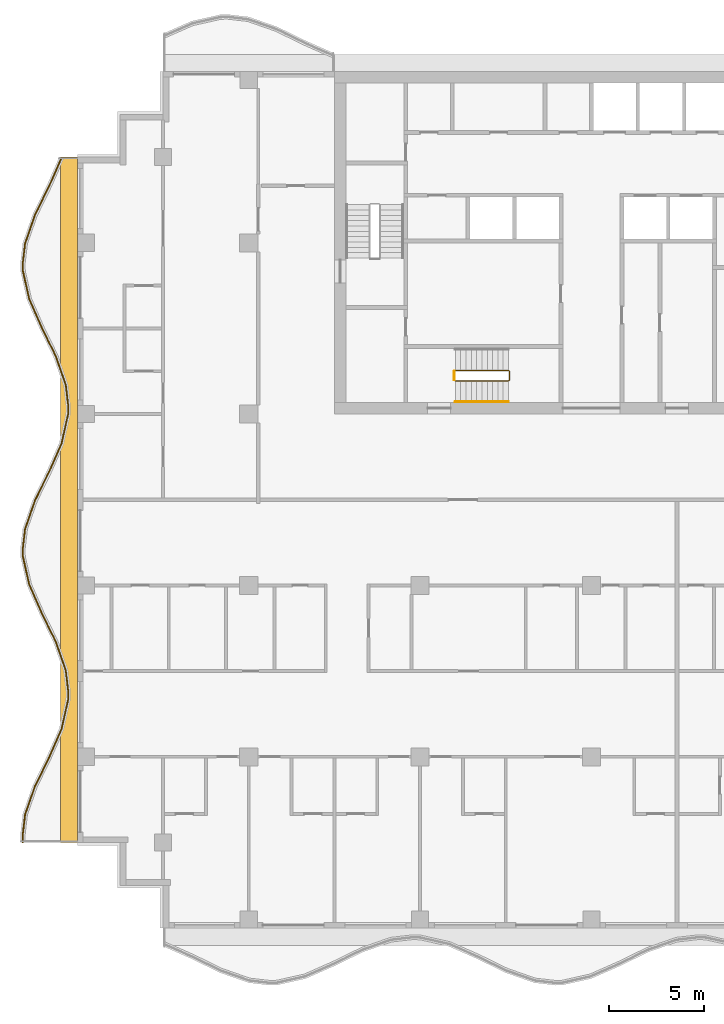
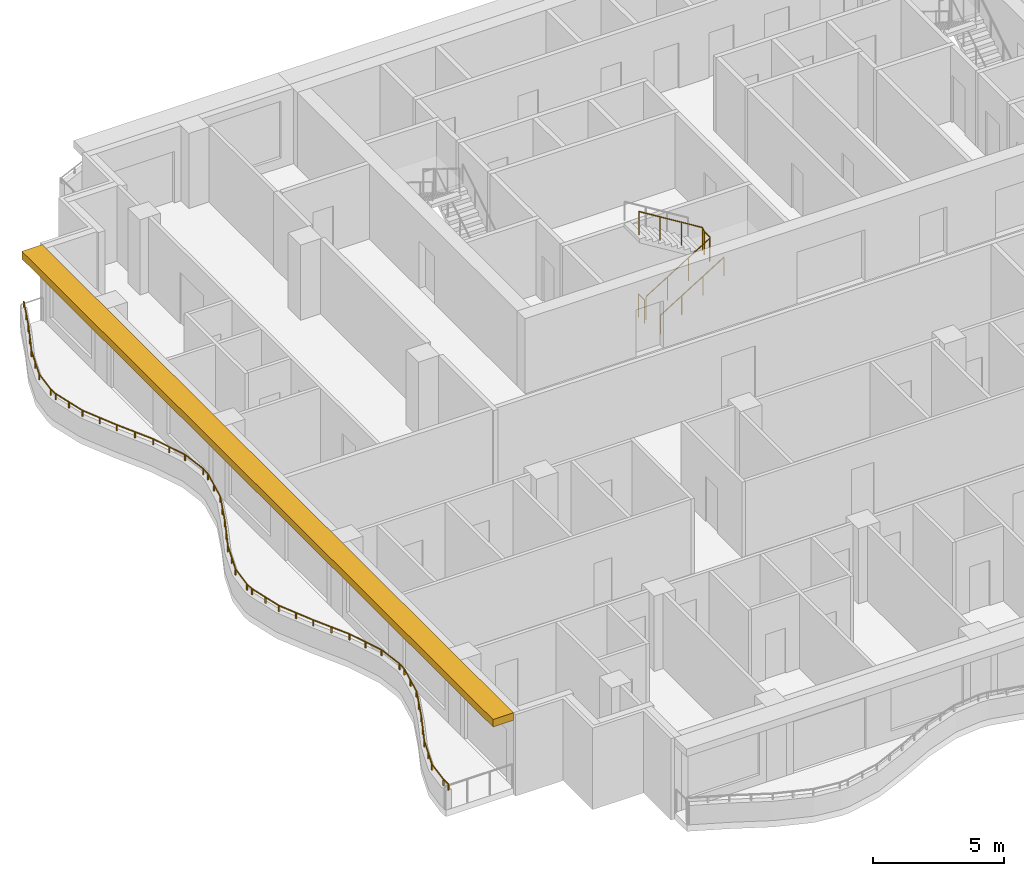
# One storey, part 9 of 11: 4 railings, 1 shading device.
"""IFC4 building model written with IfcOpenShell, lengths in metres."""

from ifc_helpers import new_model, si_unit, direction, frame, origin, origin_2d, place, context, subcontext, project, spatial, polyline, rectangle, circle, outline, extrude, material, layer, layer_set, type_object, element, save


model = new_model("IFC4")

# Units and contexts
model_context = context("Model", 3, precision=1e-05, world=origin(), true_north=direction((0.0, 1.0)))
body_context = subcontext(model_context, "Body", "Model", "MODEL_VIEW")
ifc_project = project(units=[si_unit("LENGTHUNIT", "METRE"), si_unit("AREAUNIT", "SQUARE_METRE"), si_unit("VOLUMEUNIT", "CUBIC_METRE"), si_unit("PLANEANGLEUNIT", "RADIAN"), si_unit("MASSUNIT", "GRAM", prefix="KILO")], contexts=[model_context])

# Site, building, storey
site_placement = place(None, origin())
site = spatial("IfcSite", under=ifc_project, at=site_placement, CompositionType="ELEMENT")
building_placement = place(site_placement, origin())
building = spatial("IfcBuilding", under=site, at=building_placement, Name="Orbiselva Terraces", CompositionType="ELEMENT")
storey_placement = place(building_placement, frame((0.0, 0.0, 269.2)))
storey = spatial("IfcBuildingStorey", under=building, at=storey_placement, Name="L68", CompositionType="ELEMENT", Elevation=269.2)

# Railings
ifc_material_1 = material(Name="Stainless steel", Category="steel")
railing_type_1 = type_object("IfcRailingType", Name="CORE-GUARD-1100", PredefinedType="GUARDRAIL", material=ifc_material_1)
railing_1_placement = place(storey_placement, frame((-7.15, 6.25, 0.172727)))
element("IfcRailing", 1, at=railing_1_placement, inside=storey, type_object=railing_type_1, Name="L68 S3 stair guard 1", PredefinedType="GUARDRAIL", context=body_context, shape_type="SweptSolid", body=[
    extrude(circle(Radius=0.024, at=origin_2d()), frame((0.0, 0.0, 1.081), z_axis=(0.851088519012, 0.0, 0.52502222125), x_axis=(0.0, 1.0, 0.0)), (0.0, 0.0, 1.0), 3.289905),
    extrude(circle(Radius=0.024, at=origin_2d()), frame((2.8, 0.0, 2.808273), z_axis=(0.707106781187, 0.707106781187, 0.0), x_axis=(-0.707106781187, 0.707106781187, 0.0)), (0.0, 0.0, 1.0), 0.070711),
    extrude(circle(Radius=0.024, at=origin_2d()), frame((2.85, 0.05, 2.808273), z_axis=(0.0, 1.0, 0.0), x_axis=(-1.0, 0.0, 0.0)), (0.0, 0.0, 1.0), 0.45),
    extrude(circle(Radius=0.024, at=origin_2d()), frame((2.85, 0.5, 2.808273), z_axis=(-0.267894925557, 0.267894925557, 0.925453736133), x_axis=(-0.707106781187, -0.707106781187, 0.0)), (0.0, 0.0, 1.0), 0.18664),
    extrude(circle(Radius=0.024, at=origin_2d()), frame((2.8, 0.55, 2.981), z_axis=(-0.851088519012, 0.0, 0.52502222125), x_axis=(0.0, -1.0, 0.0)), (0.0, 0.0, 1.0), 3.289905),
    extrude(circle(Radius=0.021, at=origin_2d()), origin(), (0.0, 0.0, 1.0), 1.057),
    extrude(circle(Radius=0.021, at=origin_2d()), frame((0.933333, 0.0, 0.575758)), (0.0, 0.0, 1.0), 1.057),
    extrude(circle(Radius=0.021, at=origin_2d()), frame((1.866667, 0.0, 1.151515)), (0.0, 0.0, 1.0), 1.057),
    extrude(circle(Radius=0.021, at=origin_2d()), frame((2.8, 0.0, 1.727273)), (0.0, 0.0, 1.0), 1.057),
    extrude(circle(Radius=0.021, at=origin_2d()), frame((2.85, 0.05, 1.727273)), (0.0, 0.0, 1.0), 1.057),
    extrude(circle(Radius=0.021, at=origin_2d()), frame((2.85, 0.5, 1.727273)), (0.0, 0.0, 1.0), 1.057),
    extrude(circle(Radius=0.021, at=origin_2d()), frame((2.8, 0.55, 1.9)), (0.0, 0.0, 1.0), 1.057),
    extrude(circle(Radius=0.021, at=origin_2d()), frame((1.866667, 0.55, 2.475758)), (0.0, 0.0, 1.0), 1.057),
    extrude(circle(Radius=0.021, at=origin_2d()), frame((0.933333, 0.55, 3.051515)), (0.0, 0.0, 1.0), 1.057),
    extrude(circle(Radius=0.021, at=origin_2d()), frame((0.0, 0.55, 3.627273)), (0.0, 0.0, 1.0), 1.057),
])
railing_2_placement = place(storey_placement, frame((-7.2, 6.3, 0.0)))
element("IfcRailing", 2, at=railing_2_placement, inside=storey, type_object=railing_type_1, Name="L68 S3 stair guard 2", PredefinedType="GUARDRAIL", context=body_context, shape_type="SweptSolid", body=[
    extrude(circle(Radius=0.024, at=origin_2d()), frame((0.0, 0.0, 1.081), z_axis=(0.0, 1.0, 0.0), x_axis=(-1.0, 0.0, 0.0)), (0.0, 0.0, 1.0), 0.45),
    extrude(circle(Radius=0.021, at=origin_2d()), origin(), (0.0, 0.0, 1.0), 1.057),
    extrude(circle(Radius=0.021, at=origin_2d()), frame((0.0, 0.45, 0.0)), (0.0, 0.0, 1.0), 1.057),
])
railing_type_2 = type_object("IfcRailingType", Name="CORE-HANDRAIL-900", PredefinedType="HANDRAIL", material=ifc_material_1)
railing_3_placement = place(storey_placement, frame((-7.15, 5.15, 0.172727)))
element("IfcRailing", 3, at=railing_3_placement, inside=storey, type_object=railing_type_2, Name="L68 S3 stair handrail 1", PredefinedType="HANDRAIL", context=body_context, shape_type="SweptSolid", body=[
    extrude(circle(Radius=0.024, at=origin_2d()), frame((0.0, 0.0, 0.876), z_axis=(0.851088519012, 0.0, 0.52502222125), x_axis=(0.0, 1.0, 0.0)), (0.0, 0.0, 1.0), 3.289905),
    extrude(circle(Radius=0.021, at=origin_2d()), origin(), (0.0, 0.0, 1.0), 0.852),
    extrude(circle(Radius=0.021, at=origin_2d()), frame((0.933333, 0.0, 0.575758)), (0.0, 0.0, 1.0), 0.852),
    extrude(circle(Radius=0.021, at=origin_2d()), frame((1.866667, 0.0, 1.151515)), (0.0, 0.0, 1.0), 0.852),
    extrude(circle(Radius=0.021, at=origin_2d()), frame((2.8, 0.0, 1.727273)), (0.0, 0.0, 1.0), 0.852),
])
ifc_material_2 = material(Name="Bonded two-ply safety glass balustrade, stainless steel posts", Category="steel")
railing_type_3 = type_object("IfcRailingType", Name="ENV-BALUSTRADE-1200", PredefinedType="BALUSTRADE", material=ifc_material_2)
railing_4_placement = place(storey_placement, frame((-27.83708, 17.949606, 0.9)))
element("IfcRailing", 4, at=railing_4_placement, inside=storey, type_object=railing_type_3, Name="Balcony balustrade L68 W", PredefinedType="BALUSTRADE", context=body_context, shape_type="SweptSolid", body=[
    extrude(outline(polyline([(0.028868, 0.0), (0.014434, 0.025), (-0.014434, 0.025), (-0.028868, 0.0), (-0.014434, -0.025), (0.014434, -0.025), (0.028868, 0.0)])), frame((0.0, 0.0, 0.275), z_axis=(-0.403151175476, -0.915133394491, 0.0), x_axis=(0.915133394491, -0.403151175476, 0.0)), (0.0, 0.0, 1.0), 1.641563),
    extrude(outline(polyline([(0.028868, 0.0), (0.014434, 0.025), (-0.014434, 0.025), (-0.028868, 0.0), (-0.014434, -0.025), (0.014434, -0.025), (0.028868, 0.0)])), frame((-0.661798, -1.502249, 0.275), z_axis=(-0.438811978768, -0.89857890432, 0.0), x_axis=(0.89857890432, -0.438811978768, 0.0)), (0.0, 0.0, 1.0), 1.66438),
    extrude(outline(polyline([(0.028868, 0.0), (0.014434, 0.025), (-0.014434, 0.025), (-0.028868, 0.0), (-0.014434, -0.025), (0.014434, -0.025), (0.028868, 0.0)])), frame((-1.392148, -2.997826, 0.275), z_axis=(-0.330024754707, -0.943972277814, 0.0), x_axis=(0.943972277814, -0.330024754707, 0.0)), (0.0, 0.0, 1.0), 1.567807),
    extrude(outline(polyline([(0.028868, 0.0), (0.014434, 0.025), (-0.014434, 0.025), (-0.028868, 0.0), (-0.014434, -0.025), (0.014434, -0.025), (0.028868, 0.0)])), frame((-1.909563, -4.477792, 0.275), z_axis=(-0.115481264762, -0.993309658409, 0.0), x_axis=(0.993309658409, -0.115481264762, 0.0)), (0.0, 0.0, 1.0), 1.10902),
    extrude(outline(polyline([(0.028868, 0.0), (0.014434, 0.025), (-0.014434, 0.025), (-0.028868, 0.0), (-0.014434, -0.025), (0.014434, -0.025), (0.028868, 0.0)])), frame((-2.037634, -5.579392, 0.275), z_axis=(0.039364150694, -0.999224931454, 0.0), x_axis=(0.999224931454, 0.039364150694, 0.0)), (0.0, 0.0, 1.0), 0.354206),
    extrude(outline(polyline([(0.028868, 0.0), (0.014434, 0.025), (-0.014434, 0.025), (-0.028868, 0.0), (-0.014434, -0.025), (0.014434, -0.025), (0.028868, 0.0)])), frame((-2.023691, -5.933323, 0.275), z_axis=(0.219015740235, -0.975721325753, 0.0), x_axis=(0.975721325753, 0.219015740235, 0.0)), (0.0, 0.0, 1.0), 1.513782),
    extrude(outline(polyline([(0.028868, 0.0), (0.014434, 0.025), (-0.014434, 0.025), (-0.028868, 0.0), (-0.014434, -0.025), (0.014434, -0.025), (0.028868, 0.0)])), frame((-1.692149, -7.410352, 0.275), z_axis=(0.403151245402, -0.915133363686, 0.0), x_axis=(0.915133363686, 0.403151245402, 0.0)), (0.0, 0.0, 1.0), 1.624475),
    extrude(outline(polyline([(0.028868, 0.0), (0.014434, 0.025), (-0.014434, 0.025), (-0.028868, 0.0), (-0.014434, -0.025), (0.014434, -0.025), (0.028868, 0.0)])), frame((-1.03724, -8.896963, 0.275), z_axis=(0.438812048596, -0.898578870221, 0.0), x_axis=(0.898578870221, 0.438812048596, 0.0)), (0.0, 0.0, 1.0), 1.674225),
    extrude(outline(polyline([(0.028868, 0.0), (0.014434, 0.025), (-0.014434, 0.025), (-0.028868, 0.0), (-0.014434, -0.025), (0.014434, -0.025), (0.028868, 0.0)])), frame((-0.30257, -10.401386, 0.275), z_axis=(0.330024597479, -0.943972332783, 0.0), x_axis=(0.943972332783, 0.330024597479, 0.0)), (0.0, 0.0, 1.0), 1.610253),
    extrude(outline(polyline([(0.028868, 0.0), (0.014434, 0.025), (-0.014434, 0.025), (-0.028868, 0.0), (-0.014434, -0.025), (0.014434, -0.025), (0.028868, 0.0)])), frame((0.228853, -11.92142, 0.275), z_axis=(0.115482182324, -0.993309551734, 0.0), x_axis=(0.993309551734, 0.115482182324, 0.0)), (0.0, 0.0, 1.0), 1.156135),
    extrude(outline(polyline([(0.028868, 0.0), (0.014434, 0.025), (-0.014434, 0.025), (-0.028868, 0.0), (-0.014434, -0.025), (0.014434, -0.025), (0.028868, 0.0)])), frame((0.362366, -13.06982, 0.275), z_axis=(-0.03936915532, -0.999224734286, 0.0), x_axis=(0.999224734286, -0.03936915532, 0.0)), (0.0, 0.0, 1.0), 0.396376),
    extrude(outline(polyline([(0.028868, 0.0), (0.014434, 0.025), (-0.014434, 0.025), (-0.028868, 0.0), (-0.014434, -0.025), (0.014434, -0.025), (0.028868, 0.0)])), frame((0.346761, -13.465889, 0.275), z_axis=(-0.219015500924, -0.97572137947, 0.0), x_axis=(0.97572137947, -0.219015500924, 0.0)), (0.0, 0.0, 1.0), 1.560867),
    extrude(outline(polyline([(0.028868, 0.0), (0.014434, 0.025), (-0.014434, 0.025), (-0.028868, 0.0), (-0.014434, -0.025), (0.014434, -0.025), (0.028868, 0.0)])), frame((0.004907, -14.98886, 0.275), z_axis=(-0.403150874148, -0.915133527237, 0.0), x_axis=(0.915133527237, -0.403150874148, 0.0)), (0.0, 0.0, 1.0), 1.653736),
    extrude(outline(polyline([(0.028868, 0.0), (0.014434, 0.025), (-0.014434, 0.025), (-0.028868, 0.0), (-0.014434, -0.025), (0.014434, -0.025), (0.028868, 0.0)])), frame((-0.661798, -16.502249, 0.275), z_axis=(-0.438811978768, -0.89857890432, 0.0), x_axis=(0.89857890432, -0.438811978768, 0.0)), (0.0, 0.0, 1.0), 1.66438),
    extrude(outline(polyline([(0.028868, 0.0), (0.014434, 0.025), (-0.014434, 0.025), (-0.028868, 0.0), (-0.014434, -0.025), (0.014434, -0.025), (0.028868, 0.0)])), frame((-1.392148, -17.997826, 0.275), z_axis=(-0.330024754707, -0.943972277814, 0.0), x_axis=(0.943972277814, -0.330024754707, 0.0)), (0.0, 0.0, 1.0), 1.567807),
    extrude(outline(polyline([(0.028868, 0.0), (0.014434, 0.025), (-0.014434, 0.025), (-0.028868, 0.0), (-0.014434, -0.025), (0.014434, -0.025), (0.028868, 0.0)])), frame((-1.909563, -19.477792, 0.275), z_axis=(-0.115481264762, -0.993309658409, 0.0), x_axis=(0.993309658409, -0.115481264762, 0.0)), (0.0, 0.0, 1.0), 1.10902),
    extrude(outline(polyline([(0.028868, 0.0), (0.014434, 0.025), (-0.014434, 0.025), (-0.028868, 0.0), (-0.014434, -0.025), (0.014434, -0.025), (0.028868, 0.0)])), frame((-2.037634, -20.579392, 0.275), z_axis=(0.039364150694, -0.999224931454, 0.0), x_axis=(0.999224931454, 0.039364150694, 0.0)), (0.0, 0.0, 1.0), 0.354206),
    extrude(outline(polyline([(0.028868, 0.0), (0.014434, 0.025), (-0.014434, 0.025), (-0.028868, 0.0), (-0.014434, -0.025), (0.014434, -0.025), (0.028868, 0.0)])), frame((-2.023691, -20.933323, 0.275), z_axis=(0.219015740235, -0.975721325753, 0.0), x_axis=(0.975721325753, 0.219015740235, 0.0)), (0.0, 0.0, 1.0), 1.513782),
    extrude(outline(polyline([(0.028868, 0.0), (0.014434, 0.025), (-0.014434, 0.025), (-0.028868, 0.0), (-0.014434, -0.025), (0.014434, -0.025), (0.028868, 0.0)])), frame((-1.692149, -22.410352, 0.275), z_axis=(0.403151245402, -0.915133363686, 0.0), x_axis=(0.915133363686, 0.403151245402, 0.0)), (0.0, 0.0, 1.0), 1.624475),
    extrude(outline(polyline([(0.028868, 0.0), (0.014434, 0.025), (-0.014434, 0.025), (-0.028868, 0.0), (-0.014434, -0.025), (0.014434, -0.025), (0.028868, 0.0)])), frame((-1.03724, -23.896963, 0.275), z_axis=(0.438812048596, -0.898578870221, 0.0), x_axis=(0.898578870221, 0.438812048596, 0.0)), (0.0, 0.0, 1.0), 1.674225),
    extrude(outline(polyline([(0.028868, 0.0), (0.014434, 0.025), (-0.014434, 0.025), (-0.028868, 0.0), (-0.014434, -0.025), (0.014434, -0.025), (0.028868, 0.0)])), frame((-0.30257, -25.401386, 0.275), z_axis=(0.330024597479, -0.943972332783, 0.0), x_axis=(0.943972332783, 0.330024597479, 0.0)), (0.0, 0.0, 1.0), 1.610253),
    extrude(outline(polyline([(0.028868, 0.0), (0.014434, 0.025), (-0.014434, 0.025), (-0.028868, 0.0), (-0.014434, -0.025), (0.014434, -0.025), (0.028868, 0.0)])), frame((0.228853, -26.92142, 0.275), z_axis=(0.115482182324, -0.993309551734, 0.0), x_axis=(0.993309551734, 0.115482182324, 0.0)), (0.0, 0.0, 1.0), 1.156135),
    extrude(outline(polyline([(0.028868, 0.0), (0.014434, 0.025), (-0.014434, 0.025), (-0.028868, 0.0), (-0.014434, -0.025), (0.014434, -0.025), (0.028868, 0.0)])), frame((0.362366, -28.06982, 0.275), z_axis=(-0.03936915532, -0.999224734286, 0.0), x_axis=(0.999224734286, -0.03936915532, 0.0)), (0.0, 0.0, 1.0), 0.396376),
    extrude(outline(polyline([(0.028868, 0.0), (0.014434, 0.025), (-0.014434, 0.025), (-0.028868, 0.0), (-0.014434, -0.025), (0.014434, -0.025), (0.028868, 0.0)])), frame((0.346761, -28.465889, 0.275), z_axis=(-0.219015500924, -0.97572137947, 0.0), x_axis=(0.97572137947, -0.219015500924, 0.0)), (0.0, 0.0, 1.0), 1.560867),
    extrude(outline(polyline([(0.028868, 0.0), (0.014434, 0.025), (-0.014434, 0.025), (-0.028868, 0.0), (-0.014434, -0.025), (0.014434, -0.025), (0.028868, 0.0)])), frame((0.004907, -29.98886, 0.275), z_axis=(-0.403150874148, -0.915133527237, 0.0), x_axis=(0.915133527237, -0.403150874148, 0.0)), (0.0, 0.0, 1.0), 1.653736),
    extrude(outline(polyline([(0.028868, 0.0), (0.014434, 0.025), (-0.014434, 0.025), (-0.028868, 0.0), (-0.014434, -0.025), (0.014434, -0.025), (0.028868, 0.0)])), frame((-0.661798, -31.502249, 0.275), z_axis=(-0.438811978768, -0.89857890432, 0.0), x_axis=(0.89857890432, -0.438811978768, 0.0)), (0.0, 0.0, 1.0), 1.66438),
    extrude(outline(polyline([(0.028868, 0.0), (0.014434, 0.025), (-0.014434, 0.025), (-0.028868, 0.0), (-0.014434, -0.025), (0.014434, -0.025), (0.028868, 0.0)])), frame((-1.392148, -32.997826, 0.275), z_axis=(-0.330024754707, -0.943972277814, 0.0), x_axis=(0.943972277814, -0.330024754707, 0.0)), (0.0, 0.0, 1.0), 1.567807),
    extrude(outline(polyline([(0.028868, 0.0), (0.014434, 0.025), (-0.014434, 0.025), (-0.028868, 0.0), (-0.014434, -0.025), (0.014434, -0.025), (0.028868, 0.0)])), frame((-1.909563, -34.477792, 0.275), z_axis=(-0.115481264762, -0.993309658409, 0.0), x_axis=(0.993309658409, -0.115481264762, 0.0)), (0.0, 0.0, 1.0), 1.10902),
    extrude(outline(polyline([(0.028868, 0.0), (0.014434, 0.025), (-0.014434, 0.025), (-0.028868, 0.0), (-0.014434, -0.025), (0.014434, -0.025), (0.028868, 0.0)])), frame((-2.037634, -35.579392, 0.275), z_axis=(0.039365236599, -0.999224888675, 0.0), x_axis=(0.999224888675, 0.039365236599, 0.0)), (0.0, 0.0, 1.0), 0.365576),
    extrude(rectangle(XDim=0.05, YDim=0.05, at=origin_2d()), origin(), (0.0, 0.0, 1.0), 0.25),
    extrude(rectangle(XDim=0.05, YDim=0.05, at=origin_2d()), frame((-0.330899, -0.751124, 0.0)), (0.0, 0.0, 1.0), 0.25),
    extrude(rectangle(XDim=0.05, YDim=0.05, at=origin_2d()), frame((-0.661798, -1.502249, 0.0)), (0.0, 0.0, 1.0), 0.25),
    extrude(rectangle(XDim=0.05, YDim=0.05, at=origin_2d()), frame((-1.026973, -2.250037, 0.0)), (0.0, 0.0, 1.0), 0.25),
    extrude(rectangle(XDim=0.05, YDim=0.05, at=origin_2d()), frame((-1.392148, -2.997826, 0.0)), (0.0, 0.0, 1.0), 0.25),
    extrude(rectangle(XDim=0.05, YDim=0.05, at=origin_2d()), frame((-1.650855, -3.737809, 0.0)), (0.0, 0.0, 1.0), 0.25),
    extrude(rectangle(XDim=0.05, YDim=0.05, at=origin_2d()), frame((-1.909563, -4.477792, 0.0)), (0.0, 0.0, 1.0), 0.25),
    extrude(rectangle(XDim=0.05, YDim=0.05, at=origin_2d()), frame((-2.037634, -5.579392, 0.0)), (0.0, 0.0, 1.0), 0.25),
    extrude(rectangle(XDim=0.05, YDim=0.05, at=origin_2d()), frame((-2.023691, -5.933323, 0.0)), (0.0, 0.0, 1.0), 0.25),
    extrude(rectangle(XDim=0.05, YDim=0.05, at=origin_2d()), frame((-1.85792, -6.671838, 0.0)), (0.0, 0.0, 1.0), 0.25),
    extrude(rectangle(XDim=0.05, YDim=0.05, at=origin_2d()), frame((-1.692149, -7.410352, 0.0)), (0.0, 0.0, 1.0), 0.25),
    extrude(rectangle(XDim=0.05, YDim=0.05, at=origin_2d()), frame((-1.364695, -8.153658, 0.0)), (0.0, 0.0, 1.0), 0.25),
    extrude(rectangle(XDim=0.05, YDim=0.05, at=origin_2d()), frame((-1.03724, -8.896963, 0.0)), (0.0, 0.0, 1.0), 0.25),
    extrude(rectangle(XDim=0.05, YDim=0.05, at=origin_2d()), frame((-0.669905, -9.649174, 0.0)), (0.0, 0.0, 1.0), 0.25),
    extrude(rectangle(XDim=0.05, YDim=0.05, at=origin_2d()), frame((-0.30257, -10.401386, 0.0)), (0.0, 0.0, 1.0), 0.25),
    extrude(rectangle(XDim=0.05, YDim=0.05, at=origin_2d()), frame((-0.036858, -11.161403, 0.0)), (0.0, 0.0, 1.0), 0.25),
    extrude(rectangle(XDim=0.05, YDim=0.05, at=origin_2d()), frame((0.228853, -11.92142, 0.0)), (0.0, 0.0, 1.0), 0.25),
    extrude(rectangle(XDim=0.05, YDim=0.05, at=origin_2d()), frame((0.362366, -13.06982, 0.0)), (0.0, 0.0, 1.0), 0.25),
    extrude(rectangle(XDim=0.05, YDim=0.05, at=origin_2d()), frame((0.346761, -13.465889, 0.0)), (0.0, 0.0, 1.0), 0.25),
    extrude(rectangle(XDim=0.05, YDim=0.05, at=origin_2d()), frame((0.175834, -14.227374, 0.0)), (0.0, 0.0, 1.0), 0.25),
    extrude(rectangle(XDim=0.05, YDim=0.05, at=origin_2d()), frame((0.004907, -14.98886, 0.0)), (0.0, 0.0, 1.0), 0.25),
    extrude(rectangle(XDim=0.05, YDim=0.05, at=origin_2d()), frame((-0.328446, -15.745554, 0.0)), (0.0, 0.0, 1.0), 0.25),
    extrude(rectangle(XDim=0.05, YDim=0.05, at=origin_2d()), frame((-0.661798, -16.502249, 0.0)), (0.0, 0.0, 1.0), 0.25),
    extrude(rectangle(XDim=0.05, YDim=0.05, at=origin_2d()), frame((-1.026973, -17.250037, 0.0)), (0.0, 0.0, 1.0), 0.25),
    extrude(rectangle(XDim=0.05, YDim=0.05, at=origin_2d()), frame((-1.392148, -17.997826, 0.0)), (0.0, 0.0, 1.0), 0.25),
    extrude(rectangle(XDim=0.05, YDim=0.05, at=origin_2d()), frame((-1.650855, -18.737809, 0.0)), (0.0, 0.0, 1.0), 0.25),
    extrude(rectangle(XDim=0.05, YDim=0.05, at=origin_2d()), frame((-1.909563, -19.477792, 0.0)), (0.0, 0.0, 1.0), 0.25),
    extrude(rectangle(XDim=0.05, YDim=0.05, at=origin_2d()), frame((-2.037634, -20.579392, 0.0)), (0.0, 0.0, 1.0), 0.25),
    extrude(rectangle(XDim=0.05, YDim=0.05, at=origin_2d()), frame((-2.023691, -20.933323, 0.0)), (0.0, 0.0, 1.0), 0.25),
    extrude(rectangle(XDim=0.05, YDim=0.05, at=origin_2d()), frame((-1.85792, -21.671838, 0.0)), (0.0, 0.0, 1.0), 0.25),
    extrude(rectangle(XDim=0.05, YDim=0.05, at=origin_2d()), frame((-1.692149, -22.410352, 0.0)), (0.0, 0.0, 1.0), 0.25),
    extrude(rectangle(XDim=0.05, YDim=0.05, at=origin_2d()), frame((-1.364695, -23.153658, 0.0)), (0.0, 0.0, 1.0), 0.25),
    extrude(rectangle(XDim=0.05, YDim=0.05, at=origin_2d()), frame((-1.03724, -23.896963, 0.0)), (0.0, 0.0, 1.0), 0.25),
    extrude(rectangle(XDim=0.05, YDim=0.05, at=origin_2d()), frame((-0.669905, -24.649174, 0.0)), (0.0, 0.0, 1.0), 0.25),
    extrude(rectangle(XDim=0.05, YDim=0.05, at=origin_2d()), frame((-0.30257, -25.401386, 0.0)), (0.0, 0.0, 1.0), 0.25),
    extrude(rectangle(XDim=0.05, YDim=0.05, at=origin_2d()), frame((-0.036858, -26.161403, 0.0)), (0.0, 0.0, 1.0), 0.25),
    extrude(rectangle(XDim=0.05, YDim=0.05, at=origin_2d()), frame((0.228853, -26.92142, 0.0)), (0.0, 0.0, 1.0), 0.25),
    extrude(rectangle(XDim=0.05, YDim=0.05, at=origin_2d()), frame((0.362366, -28.06982, 0.0)), (0.0, 0.0, 1.0), 0.25),
    extrude(rectangle(XDim=0.05, YDim=0.05, at=origin_2d()), frame((0.346761, -28.465889, 0.0)), (0.0, 0.0, 1.0), 0.25),
    extrude(rectangle(XDim=0.05, YDim=0.05, at=origin_2d()), frame((0.175834, -29.227374, 0.0)), (0.0, 0.0, 1.0), 0.25),
    extrude(rectangle(XDim=0.05, YDim=0.05, at=origin_2d()), frame((0.004907, -29.98886, 0.0)), (0.0, 0.0, 1.0), 0.25),
    extrude(rectangle(XDim=0.05, YDim=0.05, at=origin_2d()), frame((-0.328446, -30.745554, 0.0)), (0.0, 0.0, 1.0), 0.25),
    extrude(rectangle(XDim=0.05, YDim=0.05, at=origin_2d()), frame((-0.661798, -31.502249, 0.0)), (0.0, 0.0, 1.0), 0.25),
    extrude(rectangle(XDim=0.05, YDim=0.05, at=origin_2d()), frame((-1.026973, -32.250038, 0.0)), (0.0, 0.0, 1.0), 0.25),
    extrude(rectangle(XDim=0.05, YDim=0.05, at=origin_2d()), frame((-1.392148, -32.997826, 0.0)), (0.0, 0.0, 1.0), 0.25),
    extrude(rectangle(XDim=0.05, YDim=0.05, at=origin_2d()), frame((-1.650855, -33.737809, 0.0)), (0.0, 0.0, 1.0), 0.25),
    extrude(rectangle(XDim=0.05, YDim=0.05, at=origin_2d()), frame((-1.909563, -34.477792, 0.0)), (0.0, 0.0, 1.0), 0.25),
    extrude(rectangle(XDim=0.05, YDim=0.05, at=origin_2d()), frame((-2.037634, -35.579392, 0.0)), (0.0, 0.0, 1.0), 0.25),
    extrude(rectangle(XDim=0.05, YDim=0.05, at=origin_2d()), frame((-2.023243, -35.944685, 0.0)), (0.0, 0.0, 1.0), 0.25),
])

# Shading device
ifc_material_3 = material(Name="Terracotta baguette sunshade", Category="masonry")
ifc_layer = layer(ifc_material_3, 0.35)
ifc_layer_set = layer_set([ifc_layer], Name="Terracotta baguette sunshade")
shading_device_type = type_object("IfcShadingDeviceType", Name="ENV-SUNSHADE-900x350", PredefinedType="USERDEFINED", material=ifc_layer_set)
shading_device_placement = place(storey_placement, frame((0.0, 0.0, 3.15)))
element("IfcShadingDevice", 5, at=shading_device_placement, inside=storey, type_object=shading_device_type, Name="Sunshade band L68 W", ObjectType="SUNSHADE", PredefinedType="USERDEFINED", context=body_context, shape_type="SweptSolid", body=[
    extrude(outline(polyline([(-27.9, 18.0), (-27.9, -18.0), (-27.0, -18.0), (-27.0, 18.0), (-27.9, 18.0)])), origin(), (0.0, 0.0, 1.0), 0.35),
])

save(model, "model.ifc")
